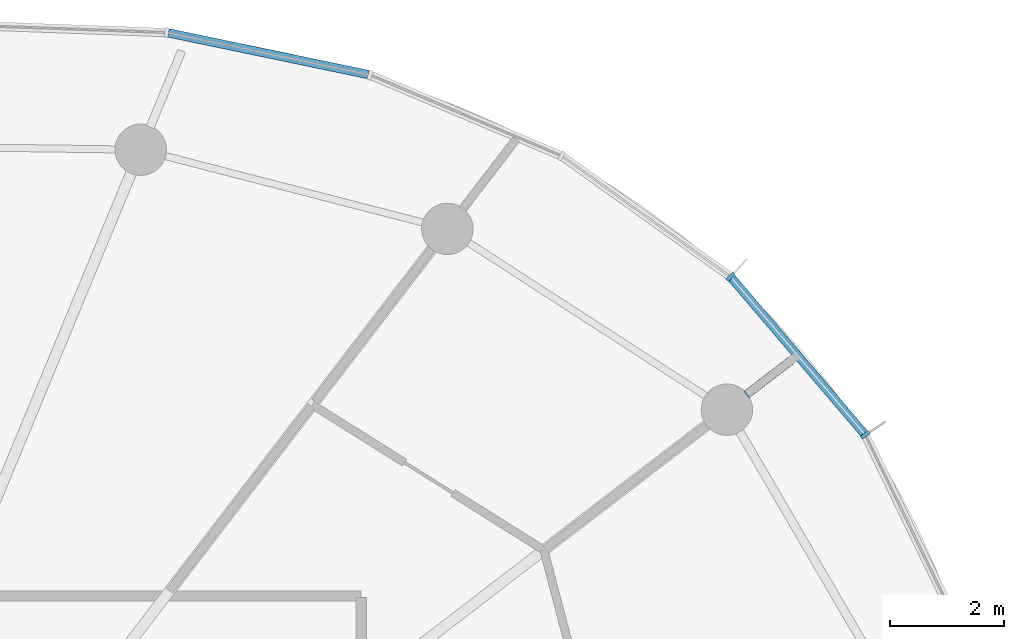
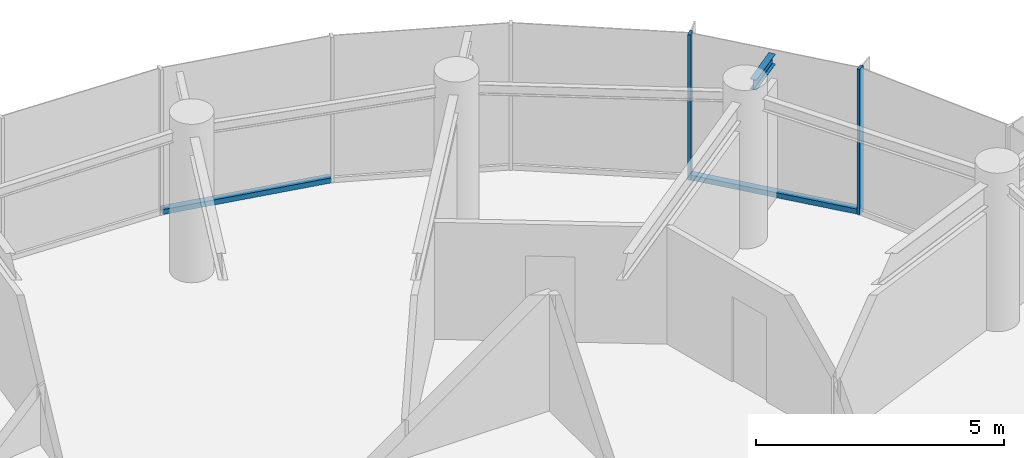
# One storey, part 7 of 15: 4 members, 1 beam, 1 element without a shape of its own.
"""IFC4 building model written with IfcOpenShell, lengths in metres."""

from ifc_helpers import new_model, si_unit, direction, frame, origin, origin_2d, place, context, subcontext, project, spatial, rectangle, i_section, extrude, source, transform, mapped, material, layer, layer_set, material_profile, profile_set, type_object, element, aggregate, save


model = new_model("IFC4")

# Units and contexts
model_context = context("Model", 3, precision=1e-05, world=origin(), true_north=direction((0.0, 1.0)))
body_context = subcontext(model_context, "Body", "Model", "MODEL_VIEW")
ifc_project = project(units=[si_unit("LENGTHUNIT", "METRE"), si_unit("AREAUNIT", "SQUARE_METRE"), si_unit("VOLUMEUNIT", "CUBIC_METRE"), si_unit("PLANEANGLEUNIT", "RADIAN"), si_unit("MASSUNIT", "GRAM", prefix="KILO")], contexts=[model_context])

# Site, building, storey
site_placement = place(None, origin())
site = spatial("IfcSite", under=ifc_project, at=site_placement, CompositionType="ELEMENT")
building_placement = place(site_placement, origin())
building = spatial("IfcBuilding", under=site, at=building_placement, Name="Spindrift Exchange Tower", CompositionType="ELEMENT")
storey_placement = place(building_placement, frame((0.0, 0.0, 191.60009765625)))
storey = spatial("IfcBuildingStorey", under=building, at=storey_placement, Name="L46", CompositionType="ELEMENT", Elevation=191.60009765625)

# Beam
ifc_material_1 = material(Name="Steel Grade 300", Category="steel")
ifc_material_profile_1 = material_profile(ifc_material_1, i_section(OverallWidth=0.14599609375, OverallDepth=0.251953125, WebThickness=0.006103515625, FlangeThickness=0.008544921875, FilletRadius=0.011962890625, at=origin_2d()), Name="250UB31.4")
ifc_profile_set_1 = profile_set([ifc_material_profile_1], Name="Steel Grade 300")
beam_type = type_object("IfcBeamType", Name="Cantilever Beam 250UB31.4 Steel Grade 300", PredefinedType="BEAM", material=ifc_profile_set_1)
shared_shape_1 = source(origin(), body_context, "Body", "SweptSolid", [
    extrude(i_section(OverallWidth=0.14599609375, OverallDepth=0.251953125, WebThickness=0.006103515625, FlangeThickness=0.008544921875, FilletRadius=0.011962890625, at=origin_2d()), origin(), (0.0, 0.0, 1.0), 0.99755859375),
])
beam_placement = place(storey_placement, frame((70.143310546875, 61.921875, 3.453857421875), z_axis=(0.793433010347, 0.608657586901, 0.0), x_axis=(-0.608657586901, 0.793433010347, 0.0)))
element("IfcBeam", 1, at=beam_placement, inside=storey, type_object=beam_type, Name="L46 cantilever beam R03T", PredefinedType="BEAM", context=body_context, shape_type="MappedRepresentation", body=[
    mapped(shared_shape_1, transform((0.0, 0.0, 0.0), scale=1.0)),
])

# Curtain wall, members
ifc_material_2 = material(Name="Fritted laminated glass with bronze frame", Category="glass")
ifc_layer = layer(ifc_material_2, 0.169921875)
ifc_layer_set = layer_set([ifc_layer], Name="ZONE 4 BRONZE FRITTED WALL")
curtain_wall_type = type_object("IfcCurtainWallType", Name="ZONE 4 BRONZE FRITTED WALL", PredefinedType="NOTDEFINED", material=ifc_layer_set)
curtain_wall_placement = place(storey_placement, origin())
curtain_wall = element("IfcCurtainWall", 2, at=curtain_wall_placement, inside=storey, type_object=curtain_wall_type, Name="L46 Zone 4 Bronze Fritted Wall run 1", PredefinedType="NOTDEFINED")
ifc_material_3 = material(Name="Bronze anodised aluminium", Category="aluminium")
ifc_material_profile_2 = material_profile(ifc_material_3, rectangle(XDim=0.06494140625, YDim=0.169921875, at=origin_2d()), Name="ZONE 4 BRONZE FRITTED WALL MULLION 65X170")
ifc_profile_set_2 = profile_set([ifc_material_profile_2], Name="Bronze anodised aluminium")
member_type_1 = type_object("IfcMemberType", Name="ZONE 4 BRONZE FRITTED WALL MULLION 65X170", PredefinedType="MULLION", material=ifc_profile_set_2)
shared_shape_2 = source(origin(), body_context, "Body", "SweptSolid", [
    extrude(rectangle(XDim=0.06494140625, YDim=0.169921875, at=origin_2d()), origin(), (0.0, 0.0, 1.0), 3.579833984375),
])
member_1_placement = place(storey_placement, frame((72.22412109375, 61.218017578125, 0.0), z_axis=(0.0, 0.0, 1.0), x_axis=(-0.547100523125, 0.837066913452, 0.0)))
member_1 = element("IfcMember", 3, at=member_1_placement, type_object=member_type_1, Name="L46 mullion CW-4.1", PredefinedType="MULLION", context=body_context, shape_type="MappedRepresentation", body=[
    mapped(shared_shape_2, transform((0.0, 0.0, 0.0), scale=1.0)),
])
member_2_placement = place(storey_placement, frame((69.86669921875, 63.9853515625, 0.0), z_axis=(0.0, 0.0, 1.0), x_axis=(-0.736323936697, 0.67662918962, 0.0)))
member_2 = element("IfcMember", 4, at=member_2_placement, type_object=member_type_1, Name="L46 mullion CW-4.2", PredefinedType="MULLION", context=body_context, shape_type="MappedRepresentation", body=[
    mapped(shared_shape_2, transform((0.0, 0.0, 0.0), scale=1.0)),
])
ifc_material_profile_3 = material_profile(ifc_material_3, rectangle(XDim=0.14990234375, YDim=0.125, at=origin_2d()), Name="ZONE 4 BRONZE FRITTED WALL TRANSOM 150X125")
ifc_profile_set_3 = profile_set([ifc_material_profile_3], Name="Bronze anodised aluminium")
member_type_2 = type_object("IfcMemberType", Name="ZONE 4 BRONZE FRITTED WALL TRANSOM 150X125", PredefinedType="USERDEFINED", material=ifc_profile_set_3)
shared_shape_3 = source(origin(), body_context, "Body", "SweptSolid", [
    extrude(rectangle(XDim=0.14990234375, YDim=0.125, at=origin_2d()), origin(), (0.0, 0.0, 1.0), 3.5703125),
])
member_3_placement = place(storey_placement, frame((72.203125, 61.242919921875, 0.0625), z_axis=(-0.648473793943, 0.761236979244, 0.0), x_axis=(-0.761236979244, -0.648473793943, 0.0)))
member_3 = element("IfcMember", 5, at=member_3_placement, type_object=member_type_2, Name="L46 transom CW-4.1", ObjectType="TRANSOM", PredefinedType="USERDEFINED", context=body_context, shape_type="MappedRepresentation", body=[
    mapped(shared_shape_3, transform((0.0, 0.0, 0.0), scale=1.0)),
])
shared_shape_4 = source(origin(), body_context, "Body", "SweptSolid", [
    extrude(rectangle(XDim=0.14990234375, YDim=0.125, at=origin_2d()), origin(), (0.0, 0.0, 1.0), 3.574951171875),
])
member_4_placement = place(storey_placement, frame((63.526123046875, 67.5244140625, 0.0625), z_axis=(-0.978929253534, 0.204199697786, 0.0), x_axis=(-0.204199697786, -0.978929253534, 0.0)))
member_4 = element("IfcMember", 6, at=member_4_placement, type_object=member_type_2, Name="L46 transom CW-4.4", ObjectType="TRANSOM", PredefinedType="USERDEFINED", context=body_context, shape_type="MappedRepresentation", body=[
    mapped(shared_shape_4, transform((0.0, 0.0, 0.0), scale=1.0)),
])
aggregate(curtain_wall, [member_1, member_3, member_2, member_4])

save(model, "model.ifc")
